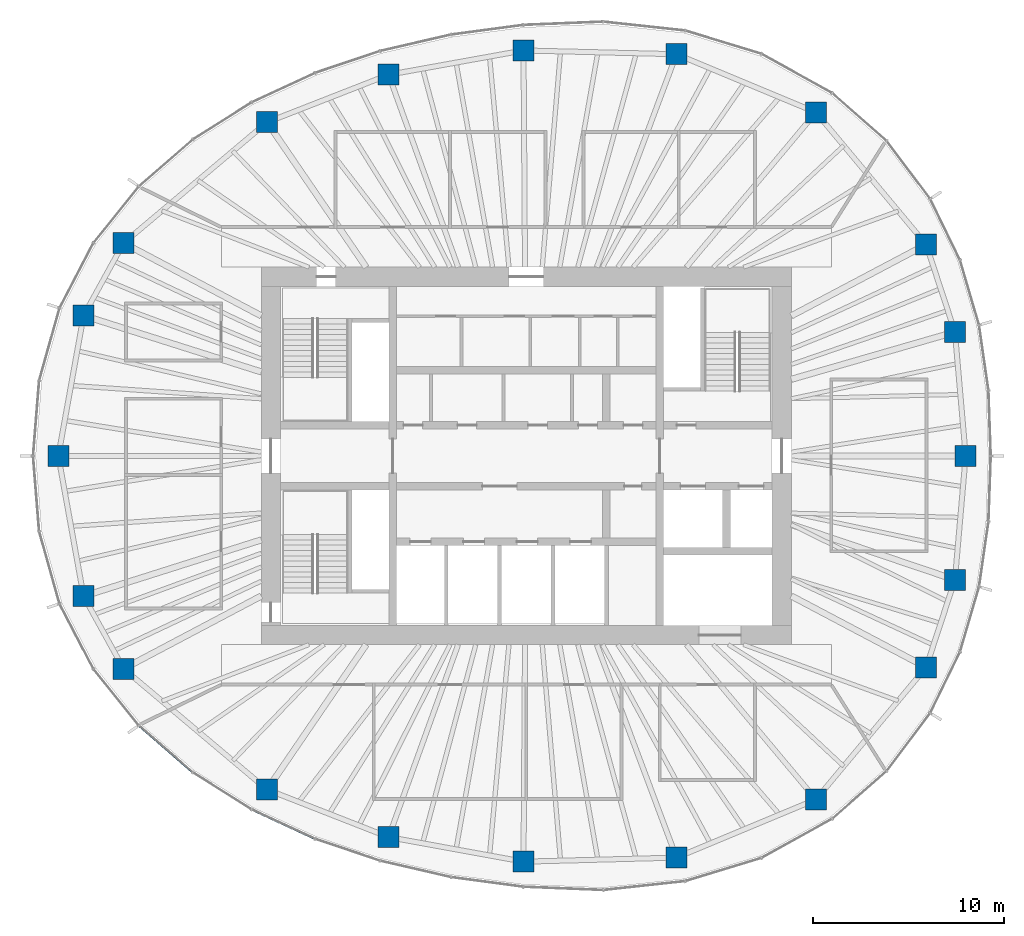
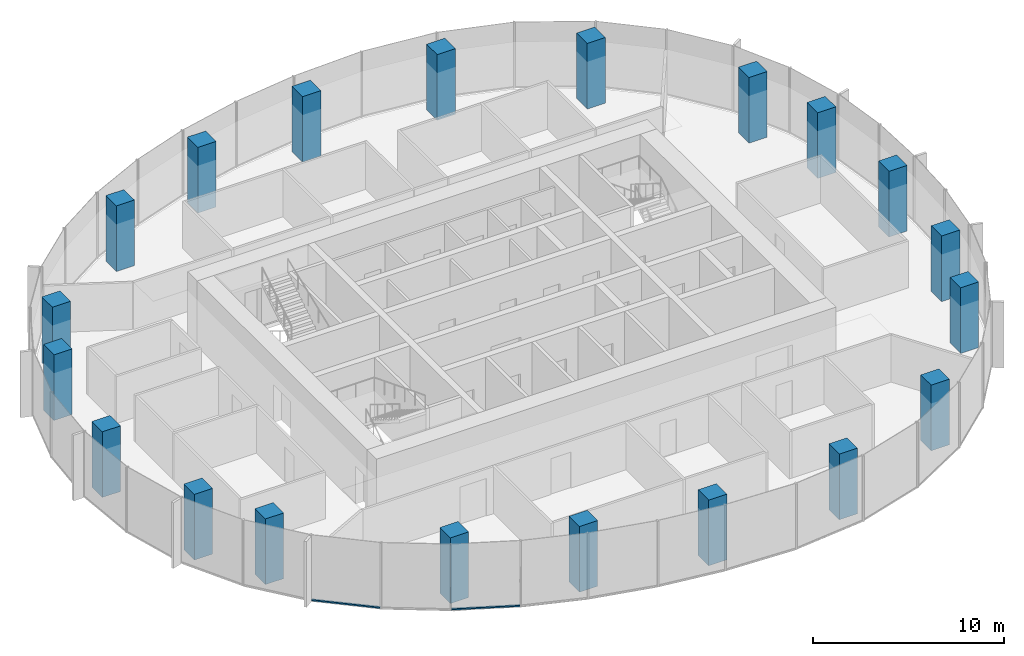
# One storey, part 1 of 11: 20 columns, 2 members, 2 elements without a shape of their own.
"""IFC4 building model written with IfcOpenShell, lengths in metres."""

from ifc_helpers import new_model, si_unit, direction, frame, origin, origin_2d, place, context, subcontext, project, spatial, rectangle, extrude, material, material_profile, profile_set, type_object, element, aggregate, save


model = new_model("IFC4")

# Units and contexts
model_context = context("Model", 3, precision=1e-05, world=origin(), true_north=direction((0.0, 1.0)))
body_context = subcontext(model_context, "Body", "Model", "MODEL_VIEW")
ifc_project = project(units=[si_unit("LENGTHUNIT", "METRE"), si_unit("AREAUNIT", "SQUARE_METRE"), si_unit("VOLUMEUNIT", "CUBIC_METRE"), si_unit("PLANEANGLEUNIT", "RADIAN"), si_unit("MASSUNIT", "GRAM", prefix="KILO")], contexts=[model_context])

# Site, building, storey
site_placement = place(None, origin())
site = spatial("IfcSite", under=ifc_project, at=site_placement, CompositionType="ELEMENT")
building_placement = place(site_placement, origin())
building = spatial("IfcBuilding", under=site, at=building_placement, Name="Ghaith Harvest Tower", CompositionType="ELEMENT")
storey_placement = place(building_placement, frame((0.0, 0.0, 283.800048828125)))
storey = spatial("IfcBuildingStorey", under=building, at=storey_placement, Name="L63", CompositionType="ELEMENT", Elevation=283.800048828125)

# Columns
ifc_material_1 = material(Name="Concrete C50/60", Category="concrete")
ifc_material_profile_1 = material_profile(ifc_material_1, rectangle(XDim=1.10009765625, YDim=1.10009765625, at=origin_2d()), Name="RC1100X1100")
ifc_profile_set_1 = profile_set([ifc_material_profile_1], Name="Concrete C50/60")
column_type = type_object("IfcColumnType", Name="TC7 RC1100X1100", PredefinedType="COLUMN", material=ifc_profile_set_1)
for number, where, z_axis, x_axis, name in (
    (1, (23.050048828125, 0.0, 0.0), (0.0, 0.0, 1.0), (1.0, 0.0, 0.0), "Perimeter column C01"),
    (2, (22.485107421875, 6.4990234375, 0.0), (0.0, 0.0, 1.0), (1.0, 0.0, 0.0), "Perimeter column C02"),
    (3, (20.97705078125, 11.087890625, 0.0), (0.0, 0.0, 1.0), (1.0, 0.0, 0.0), "Perimeter column C03"),
    (4, (15.197998046875, 18.02294921875, 0.0), (0.0, 0.0, 1.0), (1.0, 0.0, 0.0), "Perimeter column C04"),
    (5, (7.8779296875, 21.072021484375, 0.0), (0.0, 0.0, 1.0), (1.0, 0.0, 0.0), "Perimeter column C05"),
    (6, (-0.14599609375, 21.27099609375, 0.0), (0.0, 0.0, 1.0), (1.0, 0.0, 0.0), "Perimeter column C06"),
    (7, (-7.221923828125, 19.9970703125, 0.0), (0.0, 0.0, 1.0), (1.0, 0.0, 0.0), "Perimeter column C07"),
    (8, (-13.594970703125, 17.5048828125, 0.0), (0.0, 0.0, 1.0), (1.0, 0.0, 0.0), "Perimeter column C08"),
    (9, (-21.125, 11.166015625, 0.0), (0.0, 0.0, 1.0), (1.0, 0.0, 0.0), "Perimeter column C09"),
    (10, (-23.22412109375, 7.360107421875, 0.0), (0.0, 0.0, 1.0), (1.0, 0.0, 0.0), "Perimeter column C10"),
    (11, (-24.550048828125, 0.0, 0.0), (0.0, 0.0, 1.0), (1.0, 0.0, 0.0), "Perimeter column C11"),
    (12, (-23.22412109375, -7.360107421875, 0.0), (0.0, 0.0, 1.0), (1.0, 0.0, 0.0), "Perimeter column C12"),
    (13, (-21.125, -11.166015625, 0.0), (0.0, 0.0, 1.0), (1.0, 0.0, 0.0), "Perimeter column C13"),
    (14, (-13.594970703125, -17.5048828125, 0.0), (0.0, 0.0, 1.0), (1.0, 0.0, 0.0), "Perimeter column C14"),
    (15, (-7.221923828125, -19.9970703125, 0.0), (0.0, 0.0, 1.0), (1.0, 0.0, 0.0), "Perimeter column C15"),
    (16, (-0.14599609375, -21.285888671875, 0.0), (0.0, 0.0, 1.0), (1.0, 0.0, 0.0), "Perimeter column C16"),
    (17, (7.8779296875, -21.072021484375, 0.0), (0.0, 0.0, 1.0), (1.0, 0.0, 0.0), "Perimeter column C17"),
    (18, (15.197998046875, -18.02294921875, 0.0), (0.0, 0.0, 1.0), (1.0, 0.0, 0.0), "Perimeter column C18"),
    (19, (20.97705078125, -11.087890625, 0.0), (0.0, 0.0, 1.0), (1.0, 0.0, 0.0), "Perimeter column C19"),
    (20, (22.485107421875, -6.4990234375, 0.0), (0.0, 0.0, 1.0), (1.0, 0.0, 0.0), "Perimeter column C20"),
):
    element("IfcColumn", number, at=place(storey_placement, frame(where, z_axis=z_axis, x_axis=x_axis)), inside=storey, type_object=column_type, Name=name, PredefinedType="COLUMN", context=body_context, shape_type="SweptSolid", body=[
        extrude(rectangle(XDim=1.10009765625, YDim=1.10009765625, at=origin_2d()), origin(), (0.0, 0.0, 1.0), 4.199951171875),
    ])

# Curtain wall, member
ifc_material_2 = material(Name="Black anodised aluminium and fritted glass", Category="aluminium")
curtain_wall_type = type_object("IfcCurtainWallType", Name="CW-T CURTAIN WALL", PredefinedType="NOTDEFINED", material=ifc_material_2)
curtain_wall_1_placement = place(storey_placement, origin())
curtain_wall_1 = element("IfcCurtainWall", 21, at=curtain_wall_1_placement, inside=storey, type_object=curtain_wall_type, Name="Curtain wall CW-T bay 13 L63", PredefinedType="NOTDEFINED")
ifc_material_3 = material(Name="Aluminium, black anodised", Category="aluminium")
ifc_material_profile_2 = material_profile(ifc_material_3, rectangle(XDim=0.1201171875, YDim=0.080078125, at=origin_2d()), Name="CW-T TRANSOM 120x80")
ifc_profile_set_2 = profile_set([ifc_material_profile_2], Name="Aluminium, black anodised")
member_type = type_object("IfcMemberType", Name="CW-T TRANSOM 120x80", PredefinedType="USERDEFINED", material=ifc_profile_set_2)
member_1_placement = place(storey_placement, frame((-20.294189453125, -14.168212890625, 0.0400390625), z_axis=(0.754851889287, -0.65589528527, 0.0), x_axis=(0.65589528527, 0.754851889287, 0.0)))
member_1 = element("IfcMember", 22, at=member_1_placement, type_object=member_type, Name="CW-T transom 1 bay 13 L63", ObjectType="TRANSOM", PredefinedType="USERDEFINED", context=body_context, shape_type="SweptSolid", body=[
    extrude(rectangle(XDim=0.1201171875, YDim=0.080078125, at=origin_2d()), origin(), (0.0, 0.0, 1.0), 3.668701171875),
])
aggregate(curtain_wall_1, [member_1])

curtain_wall_2_placement = place(storey_placement, origin())
curtain_wall_2 = element("IfcCurtainWall", 23, at=curtain_wall_2_placement, inside=storey, type_object=curtain_wall_type, Name="Curtain wall CW-T bay 14 L63", PredefinedType="NOTDEFINED")
member_2_placement = place(storey_placement, frame((-14.36865234375, -18.564697265625, 0.0400390625), z_axis=(0.907472177056, -0.420112184862, 0.0), x_axis=(0.420112184862, 0.907472177056, 0.0)))
member_2 = element("IfcMember", 24, at=member_2_placement, type_object=member_type, Name="CW-T transom 1 bay 14 L63", ObjectType="TRANSOM", PredefinedType="USERDEFINED", context=body_context, shape_type="SweptSolid", body=[
    extrude(rectangle(XDim=0.1201171875, YDim=0.080078125, at=origin_2d()), origin(), (0.0, 0.0, 1.0), 3.597900390625),
])
aggregate(curtain_wall_2, [member_2])

save(model, "model.ifc")
